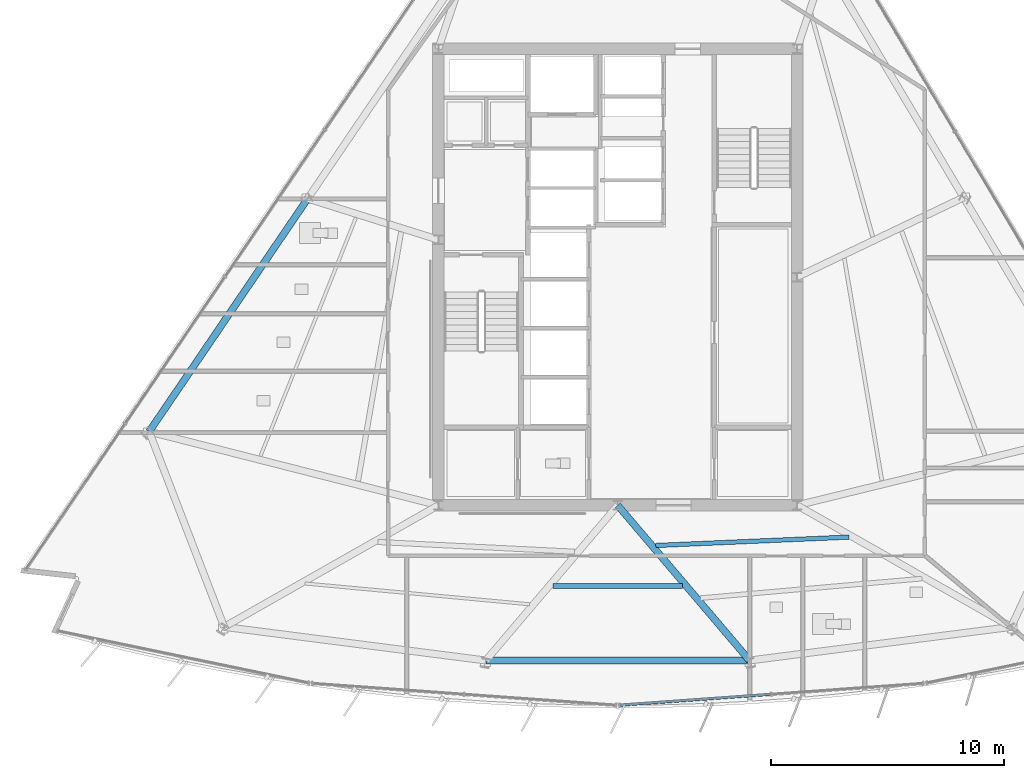
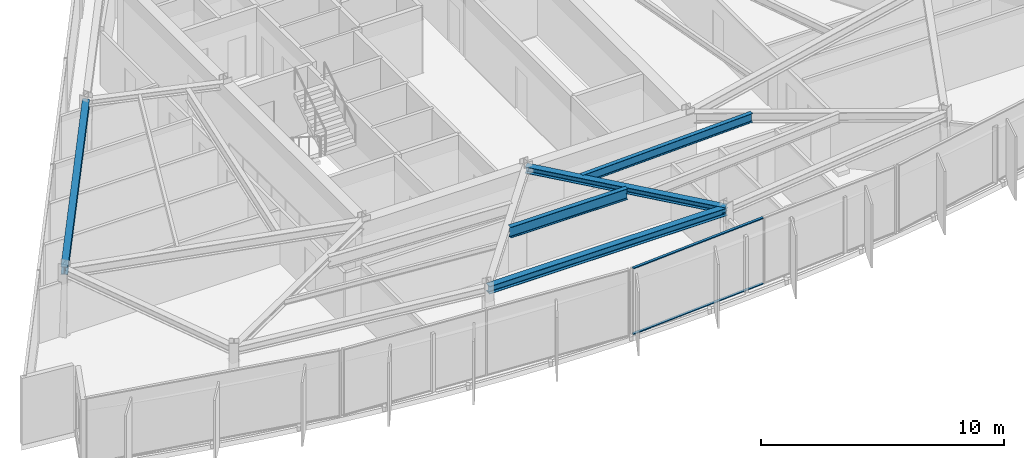
# One storey, part 3 of 15: 5 beams, 2 members, 1 element without a shape of its own.
"""IFC4 building model written with IfcOpenShell, lengths in metres."""

from ifc_helpers import new_model, si_unit, direction, frame, origin, origin_2d, place, context, subcontext, project, spatial, rectangle, i_section, extrude, material, material_profile, profile_set, type_object, element, aggregate, save


model = new_model("IFC4")

# Units and contexts
model_context = context("Model", 3, precision=1e-05, world=origin(), true_north=direction((0.0, 1.0)))
body_context = subcontext(model_context, "Body", "Model", "MODEL_VIEW")
ifc_project = project(units=[si_unit("LENGTHUNIT", "METRE"), si_unit("AREAUNIT", "SQUARE_METRE"), si_unit("VOLUMEUNIT", "CUBIC_METRE"), si_unit("PLANEANGLEUNIT", "RADIAN"), si_unit("MASSUNIT", "GRAM", prefix="KILO")], contexts=[model_context])

# Site, building, storey
site_placement = place(None, origin())
site = spatial("IfcSite", under=ifc_project, at=site_placement, CompositionType="ELEMENT")
building_placement = place(site_placement, origin())
building = spatial("IfcBuilding", under=site, at=building_placement, Name="Savorim Split Tower", CompositionType="ELEMENT")
storey_placement = place(building_placement, frame((0.0, 0.0, 198.300048828125)))
storey = spatial("IfcBuildingStorey", under=building, at=storey_placement, Name="L52", CompositionType="ELEMENT", Elevation=198.300048828125)

# Beams
ifc_material_1 = material(Name="Steel S355", Category="steel")
ifc_material_profile_1 = material_profile(ifc_material_1, i_section(OverallWidth=0.18994140625, OverallDepth=0.449951171875, WebThickness=0.009521484375, FlangeThickness=0.0146484375, FilletRadius=0.02099609375, at=origin_2d()), Name="IPE 450")
ifc_profile_set_1 = profile_set([ifc_material_profile_1], Name="Steel S355")
beam_type_1 = type_object("IfcBeamType", Name="BM-JST-IPE450", PredefinedType="JOIST", material=ifc_profile_set_1)
beam_1_placement = place(storey_placement, frame((1.6318359375, -11.125, 3.125), z_axis=(0.999056047443, 0.043439775186, 0.0), x_axis=(-0.043439775186, 0.999056047443, 0.0)))
element("IfcBeam", 1, at=beam_1_placement, inside=storey, type_object=beam_type_1, Name="L52 Secondary Floor Joist JS-05", PredefinedType="JOIST", context=body_context, shape_type="SweptSolid", body=[
    extrude(i_section(OverallWidth=0.18994140625, OverallDepth=0.449951171875, WebThickness=0.009521484375, FlangeThickness=0.0146484375, FilletRadius=0.02099609375, at=origin_2d()), origin(), (0.0, 0.0, 1.0), 8.306640625),
])
ifc_material_profile_2 = material_profile(ifc_material_1, i_section(OverallWidth=0.2099609375, OverallDepth=0.550048828125, WebThickness=0.010986328125, FlangeThickness=0.01708984375, FilletRadius=0.02392578125, at=origin_2d()), Name="IPE 550")
ifc_profile_set_2 = profile_set([ifc_material_profile_2], Name="Steel S355")
beam_type_2 = type_object("IfcBeamType", Name="BM-JST-IPE550", PredefinedType="JOIST", material=ifc_profile_set_2)
beam_2_placement = place(storey_placement, frame((-2.7841796875, -12.864013671875, 3.074951171875), z_axis=(1.0, 0.0, 0.0), x_axis=(0.0, 1.0, 0.0)))
element("IfcBeam", 2, at=beam_2_placement, inside=storey, type_object=beam_type_2, Name="L52 Secondary Floor Joist JS-03", PredefinedType="JOIST", context=body_context, shape_type="SweptSolid", body=[
    extrude(i_section(OverallWidth=0.2099609375, OverallDepth=0.550048828125, WebThickness=0.010986328125, FlangeThickness=0.01708984375, FilletRadius=0.02392578125, at=origin_2d()), origin(), (0.0, 0.0, 1.0), 5.568359375),
])
ifc_material_profile_3 = material_profile(ifc_material_1, i_section(OverallWidth=0.300048828125, OverallDepth=0.320068359375, WebThickness=0.011474609375, FlangeThickness=0.0205078125, FilletRadius=0.027099609375, at=origin_2d()), Name="HEB 320")
ifc_profile_set_3 = profile_set([ifc_material_profile_3], Name="Steel S355")
beam_type_3 = type_object("IfcBeamType", Name="BM-PRI-HEB320", PredefinedType="BEAM", material=ifc_profile_set_3)
beam_3_placement = place(storey_placement, frame((5.662109375, -16.061767578125, 3.18994140625), z_axis=(-0.647616807297, 0.761966187509, 0.0), x_axis=(-0.761966187509, -0.647616807297, 0.0)))
element("IfcBeam", 3, at=beam_3_placement, inside=storey, type_object=beam_type_3, Name="L52 Primary Floor Girder RG-03", PredefinedType="BEAM", context=body_context, shape_type="SweptSolid", body=[
    extrude(i_section(OverallWidth=0.300048828125, OverallDepth=0.320068359375, WebThickness=0.011474609375, FlangeThickness=0.0205078125, FilletRadius=0.027099609375, at=origin_2d()), origin(), (0.0, 0.0, 1.0), 8.742919921875),
])
ifc_material_profile_4 = material_profile(ifc_material_1, i_section(OverallWidth=0.300048828125, OverallDepth=0.389892578125, WebThickness=0.010986328125, FlangeThickness=0.01904296875, FilletRadius=0.027099609375, at=origin_2d()), Name="HEA 400")
ifc_profile_set_4 = profile_set([ifc_material_profile_4], Name="Steel S355")
beam_type_4 = type_object("IfcBeamType", Name="BM-SPN-HEA400", PredefinedType="SPANDREL", material=ifc_profile_set_4)
beam_4_placement = place(storey_placement, frame((-5.662109375, -16.061767578125, 3.155029296875), z_axis=(1.0, 0.0, 0.0), x_axis=(0.0, 1.0, 0.0)))
element("IfcBeam", 4, at=beam_4_placement, inside=storey, type_object=beam_type_4, Name="L52 Perimeter Spandrel Beam 2", PredefinedType="SPANDREL", context=body_context, shape_type="SweptSolid", body=[
    extrude(i_section(OverallWidth=0.300048828125, OverallDepth=0.389892578125, WebThickness=0.010986328125, FlangeThickness=0.01904296875, FilletRadius=0.027099609375, at=origin_2d()), origin(), (0.0, 0.0, 1.0), 11.32421875),
])
beam_5_placement = place(storey_placement, frame((-13.30810546875, 3.767822265625, 3.155029296875), z_axis=(-0.562471178292, -0.82681689242, 0.0), x_axis=(0.82681689242, -0.562471178292, 0.0)))
element("IfcBeam", 5, at=beam_5_placement, inside=storey, type_object=beam_type_4, Name="L52 Perimeter Spandrel Beam 9", PredefinedType="SPANDREL", context=body_context, shape_type="SweptSolid", body=[
    extrude(i_section(OverallWidth=0.300048828125, OverallDepth=0.389892578125, WebThickness=0.010986328125, FlangeThickness=0.01904296875, FilletRadius=0.027099609375, at=origin_2d()), origin(), (0.0, 0.0, 1.0), 12.0986328125),
])

# Curtain wall, members
ifc_material_2 = material(Name="Dark Ceramic-Fritted Insulated Glass", Category="glass")
curtain_wall_type = type_object("IfcCurtainWallType", Name="CW-TWR-FRIT-B", PredefinedType="NOTDEFINED", material=ifc_material_2)
curtain_wall_placement = place(storey_placement, origin())
curtain_wall = element("IfcCurtainWall", 6, at=curtain_wall_placement, inside=storey, type_object=curtain_wall_type, Name="L52 Curtain Wall CW-L52-SF3", PredefinedType="NOTDEFINED")
ifc_material_3 = material(Name="Charcoal Anodised Aluminium", Category="aluminium")
ifc_material_profile_5 = material_profile(ifc_material_3, rectangle(XDim=0.1201171875, YDim=0.050048828125, at=origin_2d()), Name="ALU-T 120x50")
ifc_profile_set_5 = profile_set([ifc_material_profile_5], Name="Charcoal Anodised Aluminium")
member_type = type_object("IfcMemberType", Name="CWT-120x50", PredefinedType="USERDEFINED", material=ifc_profile_set_5)
member_1_placement = place(storey_placement, frame((0.111083984375, -17.97412109375, 0.02490234375), z_axis=(0.997435267849, 0.071574342133, 0.0), x_axis=(-0.071574342133, 0.997435267849, 0.0)))
member_1 = element("IfcMember", 7, at=member_1_placement, type_object=member_type, Name="CW-03 transom 1.1", ObjectType="TRANSOM", PredefinedType="USERDEFINED", context=body_context, shape_type="SweptSolid", body=[
    extrude(rectangle(XDim=0.1201171875, YDim=0.050048828125, at=origin_2d()), origin(), (0.0, 0.0, 1.0), 6.46728515625),
])
member_2_placement = place(storey_placement, frame((0.111083984375, -17.97412109375, 3.324951171875), z_axis=(0.997435267849, 0.071574342133, 0.0), x_axis=(-0.071574342133, 0.997435267849, 0.0)))
member_2 = element("IfcMember", 8, at=member_2_placement, type_object=member_type, Name="CW-03 transom 1.2", ObjectType="TRANSOM", PredefinedType="USERDEFINED", context=body_context, shape_type="SweptSolid", body=[
    extrude(rectangle(XDim=0.1201171875, YDim=0.050048828125, at=origin_2d()), origin(), (0.0, 0.0, 1.0), 6.46728515625),
])
aggregate(curtain_wall, [member_1, member_2])

save(model, "model.ifc")
